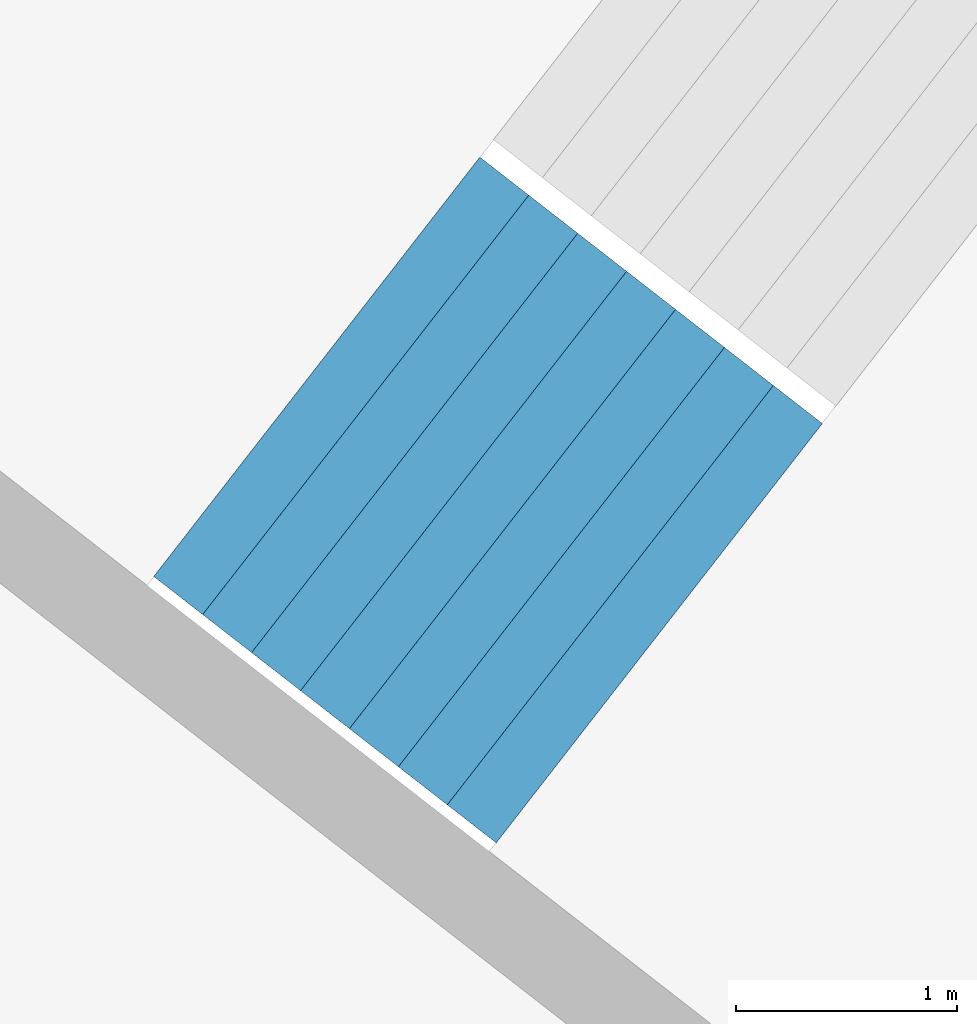
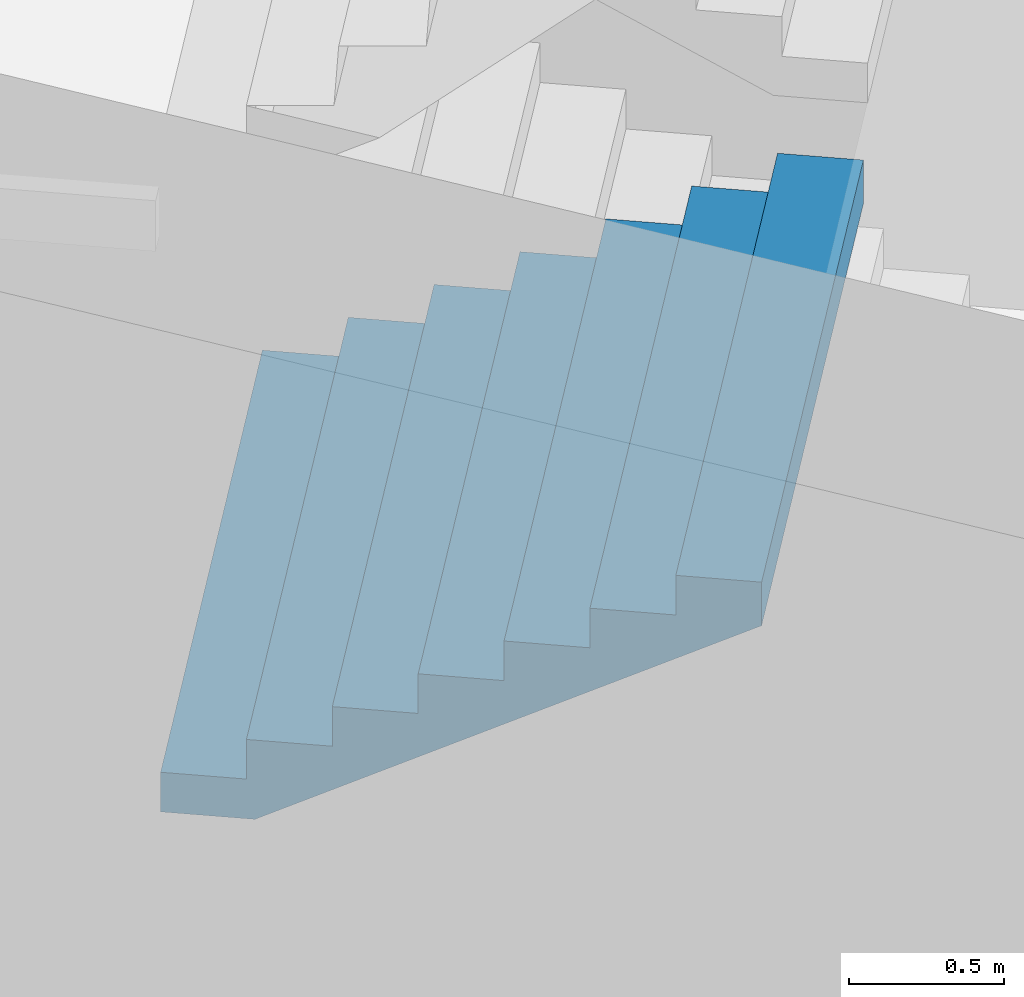
# One storey, part 37 of 73: 1 stair flight, 1 element without a shape of its own.
"""IFC4 building model written with IfcOpenShell, lengths in metres."""

from ifc_helpers import new_model, si_unit, direction, frame, origin, place, context, subcontext, project, spatial, triangles, material, type_object, element, aggregate, save


model = new_model("IFC4")

# Units and contexts
model_context = context("Model", 3, precision=1e-05, world=origin(), true_north=direction((0.0, 1.0)))
body_context = subcontext(model_context, "Body", "Model", "MODEL_VIEW")
ifc_project = project(units=[si_unit("LENGTHUNIT", "METRE"), si_unit("AREAUNIT", "SQUARE_METRE"), si_unit("VOLUMEUNIT", "CUBIC_METRE"), si_unit("PLANEANGLEUNIT", "RADIAN"), si_unit("MASSUNIT", "GRAM", prefix="KILO")], contexts=[model_context])

# Site, building, storey
site_placement = place(None, origin())
site = spatial("IfcSite", under=ifc_project, at=site_placement, CompositionType="ELEMENT")
building_placement = place(site_placement, origin())
building = spatial("IfcBuilding", under=site, at=building_placement, Name="Lantaw Convention Tower", CompositionType="ELEMENT")
storey_placement = place(building_placement, frame((0.0, 0.0, 27.0)))
storey = spatial("IfcBuildingStorey", under=building, at=storey_placement, Name="L04", CompositionType="ELEMENT", Elevation=27.0)

# Stair, stair flight
ifc_material = material(Name="Concrete C35/45", Category="concrete")
stair_type = type_object("IfcStairType", Name="Exit stair 2400 riser 156.25 in 4 flights", PredefinedType="HALF_TURN_STAIR", material=ifc_material)
stair_placement = place(storey_placement, origin())
stair = element("IfcStair", 1, at=stair_placement, inside=storey, type_object=stair_type, Name="Podium exit stair P7 L04", PredefinedType="HALF_TURN_STAIR")
stair_flight_type = type_object("IfcStairFlightType", Name="Stair flight 2400 riser 156.25", PredefinedType="STRAIGHT", material=ifc_material)
stair_flight_placement = place(storey_placement, frame((-31.04150390625, 22.557861328125, 1.25), z_axis=(0.0, 0.0, 1.0), x_axis=(0.789378829664, -0.613906396186, 0.0)))
stair_flight = element("IfcStairFlight", 2, at=stair_flight_placement, type_object=stair_flight_type, Name="P7 flight 2", NumberOfRisers=8, NumberOfTreads=7, PredefinedType="STRAIGHT", RiserHeight=0.15625, TreadLength=0.28, context=body_context, shape_type="Tessellation", body=[
    triangles([(0.0, 1.199951171875, 0.0), (0.0, 1.199951171875, 0.15625), (0.28, 1.199951171875, 0.0), (0.28, 1.199951171875, 0.15625), (0.28, 1.199951171875, 0.3125), (0.3076200632058044, 1.199951171875, 0.0), (0.3076200632058044, 1.199951171875, 0.3125), (0.56, 1.199951171875, 0.14083701830033238), (0.56, 1.199951171875, 0.3125), (0.56, 1.199951171875, 0.46875), (0.8400000000000001, 1.199951171875, 0.29708701830033235), (0.8400000000000001, 1.199951171875, 0.46875), (0.8400000000000001, 1.199951171875, 0.625), (1.12, 1.199951171875, 0.45333701830033235), (1.12, 1.199951171875, 0.625), (1.12, 1.199951171875, 0.78125), (1.4000000000000001, 1.199951171875, 0.6095870183003324), (1.4000000000000001, 1.199951171875, 0.78125), (1.4000000000000001, 1.199951171875, 0.9375), (1.6800000000000002, 1.199951171875, 0.7658370183003324), (1.6800000000000002, 1.199951171875, 0.9375), (1.6800000000000002, 1.199951171875, 1.09375), (1.9600000000000002, 1.199951171875, 0.9220870183003324), (1.9600000000000002, 1.199951171875, 1.09375), (0.0, -1.199951171875, 0.0), (0.0, -1.199951171875, 0.15625), (0.28, -1.199951171875, 0.0), (0.28, -1.199951171875, 0.15625), (0.28, -1.199951171875, 0.3125), (0.3076200632058044, -1.199951171875, 0.0), (0.3076200632058044, -1.199951171875, 0.3125), (0.56, -1.199951171875, 0.14083701830033238), (0.56, -1.199951171875, 0.3125), (0.56, -1.199951171875, 0.46875), (0.8400000000000001, -1.199951171875, 0.29708701830033235), (0.8400000000000001, -1.199951171875, 0.46875), (0.8400000000000001, -1.199951171875, 0.625), (1.12, -1.199951171875, 0.45333701830033235), (1.12, -1.199951171875, 0.625), (1.12, -1.199951171875, 0.78125), (1.4000000000000001, -1.199951171875, 0.6095870183003324), (1.4000000000000001, -1.199951171875, 0.78125), (1.4000000000000001, -1.199951171875, 0.9375), (1.6800000000000002, -1.199951171875, 0.7658370183003324), (1.6800000000000002, -1.199951171875, 0.9375), (1.6800000000000002, -1.199951171875, 1.09375), (1.9600000000000002, -1.199951171875, 0.9220870183003324), (1.9600000000000002, -1.199951171875, 1.09375), (0.0, 0.239990234375, 0.15625), (0.0, 0.239990234375, 0.0), (0.0, 0.1919921875, 0.15625), (0.0, 0.1919921875, 0.0), (0.0, 0.143994140625, 0.15625), (0.0, 0.143994140625, 0.0), (0.0, 0.09599609375, 0.15625), (0.0, 0.09599609375, 0.0), (0.0, 0.047998046875, 0.15625), (0.0, 0.047998046875, 0.0), (0.0, 0.0, 0.15625), (0.0, 0.0, 0.0), (0.0, -0.047998046875, 0.15625), (0.0, -0.047998046875, 0.0), (0.0, -0.09599609375, 0.15625), (0.0, -0.09599609375, 0.0), (0.0, -0.143994140625, 0.15625), (0.0, -0.143994140625, 0.0), (0.0, -0.1919921875, 0.15625), (0.0, -0.1919921875, 0.0), (0.0, -0.239990234375, 0.15625), (0.0, -0.239990234375, 0.0), (0.28, 0.239990234375, 0.3125), (0.28, 0.239990234375, 0.15625), (0.28, 0.1919921875, 0.3125), (0.28, 0.1919921875, 0.15625), (0.28, 0.143994140625, 0.3125), (0.28, 0.143994140625, 0.15625), (0.28, 0.09599609375, 0.3125), (0.28, 0.09599609375, 0.15625), (0.28, 0.047998046875, 0.3125), (0.28, 0.047998046875, 0.15625), (0.28, 0.0, 0.3125), (0.28, 0.0, 0.15625), (0.28, -0.047998046875, 0.3125), (0.28, -0.047998046875, 0.15625), (0.28, -0.09599609375, 0.3125), (0.28, -0.09599609375, 0.15625), (0.28, -0.143994140625, 0.3125), (0.28, -0.143994140625, 0.15625), (0.28, -0.1919921875, 0.3125), (0.28, -0.1919921875, 0.15625), (0.28, -0.239990234375, 0.3125), (0.28, -0.239990234375, 0.15625), (0.56, 0.239990234375, 0.46875), (0.56, 0.239990234375, 0.3125), (0.56, 0.1919921875, 0.46875), (0.56, 0.1919921875, 0.3125), (0.56, 0.143994140625, 0.46875), (0.56, 0.143994140625, 0.3125), (0.56, 0.09599609375, 0.46875), (0.56, 0.09599609375, 0.3125), (0.56, 0.047998046875, 0.46875), (0.56, 0.047998046875, 0.3125), (0.56, 0.0, 0.46875), (0.56, 0.0, 0.3125), (0.56, -0.047998046875, 0.46875), (0.56, -0.047998046875, 0.3125), (0.56, -0.09599609375, 0.46875), (0.56, -0.09599609375, 0.3125), (0.56, -0.143994140625, 0.46875), (0.56, -0.143994140625, 0.3125), (0.56, -0.1919921875, 0.46875), (0.56, -0.1919921875, 0.3125), (0.56, -0.239990234375, 0.46875), (0.56, -0.239990234375, 0.3125), (0.8400000000000001, 0.239990234375, 0.625), (0.8400000000000001, 0.239990234375, 0.46875), (0.8400000000000001, 0.1919921875, 0.625), (0.8400000000000001, 0.1919921875, 0.46875), (0.8400000000000001, 0.143994140625, 0.625), (0.8400000000000001, 0.143994140625, 0.46875), (0.8400000000000001, 0.09599609375, 0.625), (0.8400000000000001, 0.09599609375, 0.46875), (0.8400000000000001, 0.047998046875, 0.625), (0.8400000000000001, 0.047998046875, 0.46875), (0.8400000000000001, 0.0, 0.625), (0.8400000000000001, 0.0, 0.46875), (0.8400000000000001, -0.047998046875, 0.625), (0.8400000000000001, -0.047998046875, 0.46875), (0.8400000000000001, -0.09599609375, 0.625), (0.8400000000000001, -0.09599609375, 0.46875), (0.8400000000000001, -0.143994140625, 0.625), (0.8400000000000001, -0.143994140625, 0.46875), (0.8400000000000001, -0.1919921875, 0.625), (0.8400000000000001, -0.1919921875, 0.46875), (0.8400000000000001, -0.239990234375, 0.625), (0.8400000000000001, -0.239990234375, 0.46875), (1.12, 0.239990234375, 0.78125), (1.12, 0.239990234375, 0.625), (1.12, 0.1919921875, 0.78125), (1.12, 0.1919921875, 0.625), (1.12, 0.143994140625, 0.78125), (1.12, 0.143994140625, 0.625), (1.12, 0.09599609375, 0.78125), (1.12, 0.09599609375, 0.625), (1.12, 0.047998046875, 0.78125), (1.12, 0.047998046875, 0.625), (1.12, 0.0, 0.78125), (1.12, 0.0, 0.625), (1.12, -0.047998046875, 0.78125), (1.12, -0.047998046875, 0.625), (1.12, -0.09599609375, 0.78125), (1.12, -0.09599609375, 0.625), (1.12, -0.143994140625, 0.78125), (1.12, -0.143994140625, 0.625), (1.12, -0.1919921875, 0.78125), (1.12, -0.1919921875, 0.625), (1.12, -0.239990234375, 0.78125), (1.12, -0.239990234375, 0.625), (1.4000000000000001, 0.239990234375, 0.9375), (1.4000000000000001, 0.239990234375, 0.78125), (1.4000000000000001, 0.1919921875, 0.9375), (1.4000000000000001, 0.1919921875, 0.78125), (1.4000000000000001, 0.143994140625, 0.9375), (1.4000000000000001, 0.143994140625, 0.78125), (1.4000000000000001, 0.09599609375, 0.9375), (1.4000000000000001, 0.09599609375, 0.78125), (1.4000000000000001, 0.047998046875, 0.9375), (1.4000000000000001, 0.047998046875, 0.78125), (1.4000000000000001, 0.0, 0.9375), (1.4000000000000001, 0.0, 0.78125), (1.4000000000000001, -0.047998046875, 0.9375), (1.4000000000000001, -0.047998046875, 0.78125), (1.4000000000000001, -0.09599609375, 0.9375), (1.4000000000000001, -0.09599609375, 0.78125), (1.4000000000000001, -0.143994140625, 0.9375), (1.4000000000000001, -0.143994140625, 0.78125), (1.4000000000000001, -0.1919921875, 0.9375), (1.4000000000000001, -0.1919921875, 0.78125), (1.4000000000000001, -0.239990234375, 0.9375), (1.4000000000000001, -0.239990234375, 0.78125), (1.6800000000000002, 0.239990234375, 1.09375), (1.6800000000000002, 0.239990234375, 0.9375), (1.6800000000000002, 0.1919921875, 1.09375), (1.6800000000000002, 0.1919921875, 0.9375), (1.6800000000000002, 0.143994140625, 1.09375), (1.6800000000000002, 0.143994140625, 0.9375), (1.6800000000000002, 0.09599609375, 1.09375), (1.6800000000000002, 0.09599609375, 0.9375), (1.6800000000000002, 0.047998046875, 1.09375), (1.6800000000000002, 0.047998046875, 0.9375), (1.6800000000000002, 0.0, 1.09375), (1.6800000000000002, 0.0, 0.9375), (1.6800000000000002, -0.047998046875, 1.09375), (1.6800000000000002, -0.047998046875, 0.9375), (1.6800000000000002, -0.09599609375, 1.09375), (1.6800000000000002, -0.09599609375, 0.9375), (1.6800000000000002, -0.143994140625, 1.09375), (1.6800000000000002, -0.143994140625, 0.9375), (1.6800000000000002, -0.1919921875, 1.09375), (1.6800000000000002, -0.1919921875, 0.9375), (1.6800000000000002, -0.239990234375, 1.09375), (1.6800000000000002, -0.239990234375, 0.9375), (0.3076200632058044, 0.239990234375, 0.3125), (0.3076200632058044, 0.1919921875, 0.3125), (0.3076200632058044, 0.143994140625, 0.3125), (0.3076200632058044, 0.09599609375, 0.3125), (0.3076200632058044, 0.047998046875, 0.3125), (0.3076200632058044, 0.0, 0.3125), (0.3076200632058044, -0.047998046875, 0.3125), (0.3076200632058044, -0.09599609375, 0.3125), (0.3076200632058044, -0.143994140625, 0.3125), (0.3076200632058044, -0.1919921875, 0.3125), (0.3076200632058044, -0.239990234375, 0.3125), (1.9600000000000002, 0.239990234375, 1.09375), (1.9600000000000002, 0.1919921875, 1.09375), (1.9600000000000002, 0.143994140625, 1.09375), (1.9600000000000002, 0.09599609375, 1.09375), (1.9600000000000002, 0.047998046875, 1.09375), (1.9600000000000002, 0.0, 1.09375), (1.9600000000000002, -0.047998046875, 1.09375), (1.9600000000000002, -0.09599609375, 1.09375), (1.9600000000000002, -0.143994140625, 1.09375), (1.9600000000000002, -0.1919921875, 1.09375), (1.9600000000000002, -0.239990234375, 1.09375), (1.9600000000000002, 0.239990234375, 0.9220870183003324), (1.9600000000000002, 0.1919921875, 0.9220870183003324), (1.9600000000000002, 0.143994140625, 0.9220870183003324), (1.9600000000000002, 0.09599609375, 0.9220870183003324), (1.9600000000000002, 0.047998046875, 0.9220870183003324), (1.9600000000000002, 0.0, 0.9220870183003324), (1.9600000000000002, -0.047998046875, 0.9220870183003324), (1.9600000000000002, -0.09599609375, 0.9220870183003324), (1.9600000000000002, -0.143994140625, 0.9220870183003324), (1.9600000000000002, -0.1919921875, 0.9220870183003324), (1.9600000000000002, -0.239990234375, 0.9220870183003324), (1.6800000000000002, 0.239990234375, 0.7658370183003324), (1.6800000000000002, 0.1919921875, 0.7658370183003324), (1.6800000000000002, 0.143994140625, 0.7658370183003324), (1.6800000000000002, 0.09599609375, 0.7658370183003324), (1.6800000000000002, 0.047998046875, 0.7658370183003324), (1.6800000000000002, 0.0, 0.7658370183003324), (1.6800000000000002, -0.047998046875, 0.7658370183003324), (1.6800000000000002, -0.09599609375, 0.7658370183003324), (1.6800000000000002, -0.143994140625, 0.7658370183003324), (1.6800000000000002, -0.1919921875, 0.7658370183003324), (1.6800000000000002, -0.239990234375, 0.7658370183003324), (1.4000000000000001, 0.239990234375, 0.6095870183003324), (1.4000000000000001, 0.1919921875, 0.6095870183003324), (1.4000000000000001, 0.143994140625, 0.6095870183003324), (1.4000000000000001, 0.09599609375, 0.6095870183003324), (1.4000000000000001, 0.047998046875, 0.6095870183003324), (1.4000000000000001, 0.0, 0.6095870183003324), (1.4000000000000001, -0.047998046875, 0.6095870183003324), (1.4000000000000001, -0.09599609375, 0.6095870183003324), (1.4000000000000001, -0.143994140625, 0.6095870183003324), (1.4000000000000001, -0.1919921875, 0.6095870183003324), (1.4000000000000001, -0.239990234375, 0.6095870183003324), (1.12, 0.239990234375, 0.45333701830033235), (1.12, 0.1919921875, 0.45333701830033235), (1.12, 0.143994140625, 0.45333701830033235), (1.12, 0.09599609375, 0.45333701830033235), (1.12, 0.047998046875, 0.45333701830033235), (1.12, 0.0, 0.45333701830033235), (1.12, -0.047998046875, 0.45333701830033235), (1.12, -0.09599609375, 0.45333701830033235), (1.12, -0.143994140625, 0.45333701830033235), (1.12, -0.1919921875, 0.45333701830033235), (1.12, -0.239990234375, 0.45333701830033235), (0.8400000000000001, 0.239990234375, 0.29708701830033235), (0.8400000000000001, 0.1919921875, 0.29708701830033235), (0.8400000000000001, 0.143994140625, 0.29708701830033235), (0.8400000000000001, 0.09599609375, 0.29708701830033235), (0.8400000000000001, 0.047998046875, 0.29708701830033235), (0.8400000000000001, 0.0, 0.29708701830033235), (0.8400000000000001, -0.047998046875, 0.29708701830033235), (0.8400000000000001, -0.09599609375, 0.29708701830033235), (0.8400000000000001, -0.143994140625, 0.29708701830033235), (0.8400000000000001, -0.1919921875, 0.29708701830033235), (0.8400000000000001, -0.239990234375, 0.29708701830033235), (0.56, 0.239990234375, 0.14083701830033238), (0.56, 0.1919921875, 0.14083701830033238), (0.56, 0.143994140625, 0.14083701830033238), (0.56, 0.09599609375, 0.14083701830033238), (0.56, 0.047998046875, 0.14083701830033238), (0.56, 0.0, 0.14083701830033238), (0.56, -0.047998046875, 0.14083701830033238), (0.56, -0.09599609375, 0.14083701830033238), (0.56, -0.143994140625, 0.14083701830033238), (0.56, -0.1919921875, 0.14083701830033238), (0.56, -0.239990234375, 0.14083701830033238), (0.3076200632058044, 0.239990234375, 0.0), (0.3076200632058044, 0.1919921875, 0.0), (0.3076200632058044, 0.143994140625, 0.0), (0.3076200632058044, 0.09599609375, 0.0), (0.3076200632058044, 0.047998046875, 0.0), (0.3076200632058044, 0.0, 0.0), (0.3076200632058044, -0.047998046875, 0.0), (0.3076200632058044, -0.09599609375, 0.0), (0.3076200632058044, -0.143994140625, 0.0), (0.3076200632058044, -0.1919921875, 0.0), (0.3076200632058044, -0.239990234375, 0.0), (0.28, 0.239990234375, 0.0), (0.28, 0.1919921875, 0.0), (0.28, 0.143994140625, 0.0), (0.28, 0.09599609375, 0.0), (0.28, 0.047998046875, 0.0), (0.28, 0.0, 0.0), (0.28, -0.047998046875, 0.0), (0.28, -0.09599609375, 0.0), (0.28, -0.143994140625, 0.0), (0.28, -0.1919921875, 0.0), (0.28, -0.239990234375, 0.0)], [[1, 4, 3], [1, 2, 4], [3, 4, 6], [4, 7, 6], [4, 5, 7], [6, 9, 8], [6, 7, 9], [8, 9, 11], [9, 12, 11], [9, 10, 12], [11, 12, 14], [12, 15, 14], [12, 13, 15], [14, 15, 17], [15, 18, 17], [15, 16, 18], [17, 18, 20], [18, 21, 20], [18, 19, 21], [20, 21, 23], [21, 24, 23], [21, 22, 24], [25, 27, 28], [25, 28, 26], [27, 30, 28], [28, 30, 31], [28, 31, 29], [30, 32, 33], [30, 33, 31], [32, 35, 33], [33, 35, 36], [33, 36, 34], [35, 38, 36], [36, 38, 39], [36, 39, 37], [38, 41, 39], [39, 41, 42], [39, 42, 40], [41, 44, 42], [42, 44, 45], [42, 45, 43], [44, 47, 45], [45, 47, 48], [45, 48, 46], [1, 49, 2], [1, 50, 49], [50, 51, 49], [50, 52, 51], [52, 53, 51], [52, 54, 53], [54, 55, 53], [54, 56, 55], [56, 57, 55], [56, 58, 57], [58, 59, 57], [58, 60, 59], [60, 61, 59], [60, 62, 61], [62, 63, 61], [62, 64, 63], [64, 65, 63], [64, 66, 65], [66, 67, 65], [66, 68, 67], [68, 69, 67], [68, 70, 69], [70, 26, 69], [70, 25, 26], [4, 71, 5], [4, 72, 71], [72, 73, 71], [72, 74, 73], [74, 75, 73], [74, 76, 75], [76, 77, 75], [76, 78, 77], [78, 79, 77], [78, 80, 79], [80, 81, 79], [80, 82, 81], [82, 83, 81], [82, 84, 83], [84, 85, 83], [84, 86, 85], [86, 87, 85], [86, 88, 87], [88, 89, 87], [88, 90, 89], [90, 91, 89], [90, 92, 91], [92, 29, 91], [92, 28, 29], [9, 93, 10], [9, 94, 93], [94, 95, 93], [94, 96, 95], [96, 97, 95], [96, 98, 97], [98, 99, 97], [98, 100, 99], [100, 101, 99], [100, 102, 101], [102, 103, 101], [102, 104, 103], [104, 105, 103], [104, 106, 105], [106, 107, 105], [106, 108, 107], [108, 109, 107], [108, 110, 109], [110, 111, 109], [110, 112, 111], [112, 113, 111], [112, 114, 113], [114, 34, 113], [114, 33, 34], [12, 115, 13], [12, 116, 115], [116, 117, 115], [116, 118, 117], [118, 119, 117], [118, 120, 119], [120, 121, 119], [120, 122, 121], [122, 123, 121], [122, 124, 123], [124, 125, 123], [124, 126, 125], [126, 127, 125], [126, 128, 127], [128, 129, 127], [128, 130, 129], [130, 131, 129], [130, 132, 131], [132, 133, 131], [132, 134, 133], [134, 135, 133], [134, 136, 135], [136, 37, 135], [136, 36, 37], [15, 137, 16], [15, 138, 137], [138, 139, 137], [138, 140, 139], [140, 141, 139], [140, 142, 141], [142, 143, 141], [142, 144, 143], [144, 145, 143], [144, 146, 145], [146, 147, 145], [146, 148, 147], [148, 149, 147], [148, 150, 149], [150, 151, 149], [150, 152, 151], [152, 153, 151], [152, 154, 153], [154, 155, 153], [154, 156, 155], [156, 157, 155], [156, 158, 157], [158, 40, 157], [158, 39, 40], [18, 159, 19], [18, 160, 159], [160, 161, 159], [160, 162, 161], [162, 163, 161], [162, 164, 163], [164, 165, 163], [164, 166, 165], [166, 167, 165], [166, 168, 167], [168, 169, 167], [168, 170, 169], [170, 171, 169], [170, 172, 171], [172, 173, 171], [172, 174, 173], [174, 175, 173], [174, 176, 175], [176, 177, 175], [176, 178, 177], [178, 179, 177], [178, 180, 179], [180, 43, 179], [180, 42, 43], [21, 181, 22], [21, 182, 181], [182, 183, 181], [182, 184, 183], [184, 185, 183], [184, 186, 185], [186, 187, 185], [186, 188, 187], [188, 189, 187], [188, 190, 189], [190, 191, 189], [190, 192, 191], [192, 193, 191], [192, 194, 193], [194, 195, 193], [194, 196, 195], [196, 197, 195], [196, 198, 197], [198, 199, 197], [198, 200, 199], [200, 201, 199], [200, 202, 201], [202, 46, 201], [202, 45, 46], [2, 72, 4], [2, 49, 72], [49, 74, 72], [49, 51, 74], [51, 76, 74], [51, 53, 76], [53, 78, 76], [53, 55, 78], [55, 80, 78], [55, 57, 80], [57, 82, 80], [57, 59, 82], [59, 84, 82], [59, 61, 84], [61, 86, 84], [61, 63, 86], [63, 88, 86], [63, 65, 88], [65, 90, 88], [65, 67, 90], [67, 92, 90], [67, 69, 92], [69, 28, 92], [69, 26, 28], [5, 203, 7], [5, 71, 203], [71, 204, 203], [71, 73, 204], [73, 205, 204], [73, 75, 205], [75, 206, 205], [75, 77, 206], [77, 207, 206], [77, 79, 207], [79, 208, 207], [79, 81, 208], [81, 209, 208], [81, 83, 209], [83, 210, 209], [83, 85, 210], [85, 211, 210], [85, 87, 211], [87, 212, 211], [87, 89, 212], [89, 213, 212], [89, 91, 213], [91, 31, 213], [91, 29, 31], [7, 94, 9], [7, 203, 94], [203, 96, 94], [203, 204, 96], [204, 98, 96], [204, 205, 98], [205, 100, 98], [205, 206, 100], [206, 102, 100], [206, 207, 102], [207, 104, 102], [207, 208, 104], [208, 106, 104], [208, 209, 106], [209, 108, 106], [209, 210, 108], [210, 110, 108], [210, 211, 110], [211, 112, 110], [211, 212, 112], [212, 114, 112], [212, 213, 114], [213, 33, 114], [213, 31, 33], [10, 116, 12], [10, 93, 116], [93, 118, 116], [93, 95, 118], [95, 120, 118], [95, 97, 120], [97, 122, 120], [97, 99, 122], [99, 124, 122], [99, 101, 124], [101, 126, 124], [101, 103, 126], [103, 128, 126], [103, 105, 128], [105, 130, 128], [105, 107, 130], [107, 132, 130], [107, 109, 132], [109, 134, 132], [109, 111, 134], [111, 136, 134], [111, 113, 136], [113, 36, 136], [113, 34, 36], [13, 138, 15], [13, 115, 138], [115, 140, 138], [115, 117, 140], [117, 142, 140], [117, 119, 142], [119, 144, 142], [119, 121, 144], [121, 146, 144], [121, 123, 146], [123, 148, 146], [123, 125, 148], [125, 150, 148], [125, 127, 150], [127, 152, 150], [127, 129, 152], [129, 154, 152], [129, 131, 154], [131, 156, 154], [131, 133, 156], [133, 158, 156], [133, 135, 158], [135, 39, 158], [135, 37, 39], [16, 160, 18], [16, 137, 160], [137, 162, 160], [137, 139, 162], [139, 164, 162], [139, 141, 164], [141, 166, 164], [141, 143, 166], [143, 168, 166], [143, 145, 168], [145, 170, 168], [145, 147, 170], [147, 172, 170], [147, 149, 172], [149, 174, 172], [149, 151, 174], [151, 176, 174], [151, 153, 176], [153, 178, 176], [153, 155, 178], [155, 180, 178], [155, 157, 180], [157, 42, 180], [157, 40, 42], [19, 182, 21], [19, 159, 182], [159, 184, 182], [159, 161, 184], [161, 186, 184], [161, 163, 186], [163, 188, 186], [163, 165, 188], [165, 190, 188], [165, 167, 190], [167, 192, 190], [167, 169, 192], [169, 194, 192], [169, 171, 194], [171, 196, 194], [171, 173, 196], [173, 198, 196], [173, 175, 198], [175, 200, 198], [175, 177, 200], [177, 202, 200], [177, 179, 202], [179, 45, 202], [179, 43, 45], [22, 214, 24], [22, 181, 214], [181, 215, 214], [181, 183, 215], [183, 216, 215], [183, 185, 216], [185, 217, 216], [185, 187, 217], [187, 218, 217], [187, 189, 218], [189, 219, 218], [189, 191, 219], [191, 220, 219], [191, 193, 220], [193, 221, 220], [193, 195, 221], [195, 222, 221], [195, 197, 222], [197, 223, 222], [197, 199, 223], [199, 224, 223], [199, 201, 224], [201, 48, 224], [201, 46, 48], [24, 225, 23], [24, 214, 225], [214, 226, 225], [214, 215, 226], [215, 227, 226], [215, 216, 227], [216, 228, 227], [216, 217, 228], [217, 229, 228], [217, 218, 229], [218, 230, 229], [218, 219, 230], [219, 231, 230], [219, 220, 231], [220, 232, 231], [220, 221, 232], [221, 233, 232], [221, 222, 233], [222, 234, 233], [222, 223, 234], [223, 235, 234], [223, 224, 235], [224, 47, 235], [224, 48, 47], [23, 236, 20], [23, 225, 236], [225, 237, 236], [225, 226, 237], [226, 238, 237], [226, 227, 238], [227, 239, 238], [227, 228, 239], [228, 240, 239], [228, 229, 240], [229, 241, 240], [229, 230, 241], [230, 242, 241], [230, 231, 242], [231, 243, 242], [231, 232, 243], [232, 244, 243], [232, 233, 244], [233, 245, 244], [233, 234, 245], [234, 246, 245], [234, 235, 246], [235, 44, 246], [235, 47, 44], [20, 247, 17], [20, 236, 247], [236, 248, 247], [236, 237, 248], [237, 249, 248], [237, 238, 249], [238, 250, 249], [238, 239, 250], [239, 251, 250], [239, 240, 251], [240, 252, 251], [240, 241, 252], [241, 253, 252], [241, 242, 253], [242, 254, 253], [242, 243, 254], [243, 255, 254], [243, 244, 255], [244, 256, 255], [244, 245, 256], [245, 257, 256], [245, 246, 257], [246, 41, 257], [246, 44, 41], [17, 258, 14], [17, 247, 258], [247, 259, 258], [247, 248, 259], [248, 260, 259], [248, 249, 260], [249, 261, 260], [249, 250, 261], [250, 262, 261], [250, 251, 262], [251, 263, 262], [251, 252, 263], [252, 264, 263], [252, 253, 264], [253, 265, 264], [253, 254, 265], [254, 266, 265], [254, 255, 266], [255, 267, 266], [255, 256, 267], [256, 268, 267], [256, 257, 268], [257, 38, 268], [257, 41, 38], [14, 269, 11], [14, 258, 269], [258, 270, 269], [258, 259, 270], [259, 271, 270], [259, 260, 271], [260, 272, 271], [260, 261, 272], [261, 273, 272], [261, 262, 273], [262, 274, 273], [262, 263, 274], [263, 275, 274], [263, 264, 275], [264, 276, 275], [264, 265, 276], [265, 277, 276], [265, 266, 277], [266, 278, 277], [266, 267, 278], [267, 279, 278], [267, 268, 279], [268, 35, 279], [268, 38, 35], [11, 280, 8], [11, 269, 280], [269, 281, 280], [269, 270, 281], [270, 282, 281], [270, 271, 282], [271, 283, 282], [271, 272, 283], [272, 284, 283], [272, 273, 284], [273, 285, 284], [273, 274, 285], [274, 286, 285], [274, 275, 286], [275, 287, 286], [275, 276, 287], [276, 288, 287], [276, 277, 288], [277, 289, 288], [277, 278, 289], [278, 290, 289], [278, 279, 290], [279, 32, 290], [279, 35, 32], [8, 291, 6], [8, 280, 291], [280, 292, 291], [280, 281, 292], [281, 293, 292], [281, 282, 293], [282, 294, 293], [282, 283, 294], [283, 295, 294], [283, 284, 295], [284, 296, 295], [284, 285, 296], [285, 297, 296], [285, 286, 297], [286, 298, 297], [286, 287, 298], [287, 299, 298], [287, 288, 299], [288, 300, 299], [288, 289, 300], [289, 301, 300], [289, 290, 301], [290, 30, 301], [290, 32, 30], [6, 302, 3], [6, 291, 302], [291, 303, 302], [291, 292, 303], [292, 304, 303], [292, 293, 304], [293, 305, 304], [293, 294, 305], [294, 306, 305], [294, 295, 306], [295, 307, 306], [295, 296, 307], [296, 308, 307], [296, 297, 308], [297, 309, 308], [297, 298, 309], [298, 310, 309], [298, 299, 310], [299, 311, 310], [299, 300, 311], [300, 312, 311], [300, 301, 312], [301, 27, 312], [301, 30, 27], [3, 50, 1], [3, 302, 50], [302, 52, 50], [302, 303, 52], [303, 54, 52], [303, 304, 54], [304, 56, 54], [304, 305, 56], [305, 58, 56], [305, 306, 58], [306, 60, 58], [306, 307, 60], [307, 62, 60], [307, 308, 62], [308, 64, 62], [308, 309, 64], [309, 66, 64], [309, 310, 66], [310, 68, 66], [310, 311, 68], [311, 70, 68], [311, 312, 70], [312, 25, 70], [312, 27, 25]], closed=True),
])
aggregate(stair, [stair_flight])

save(model, "model.ifc")
